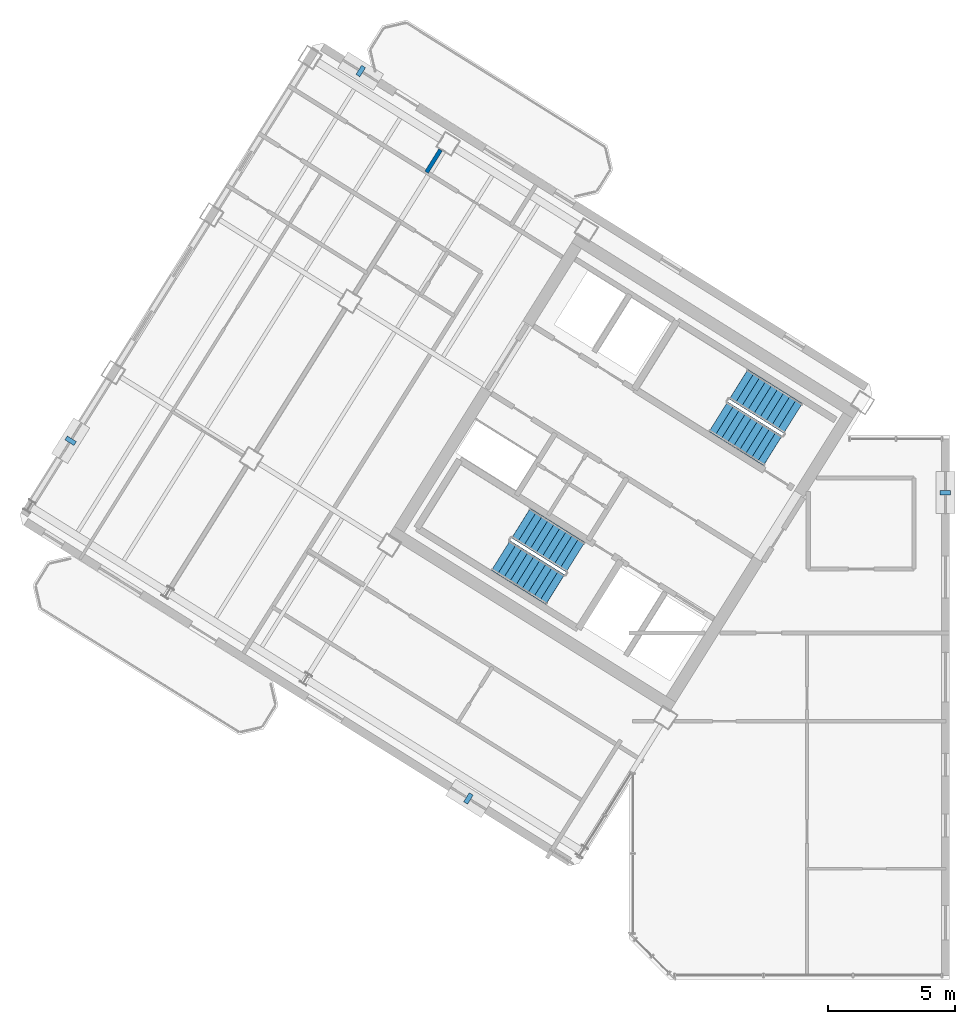
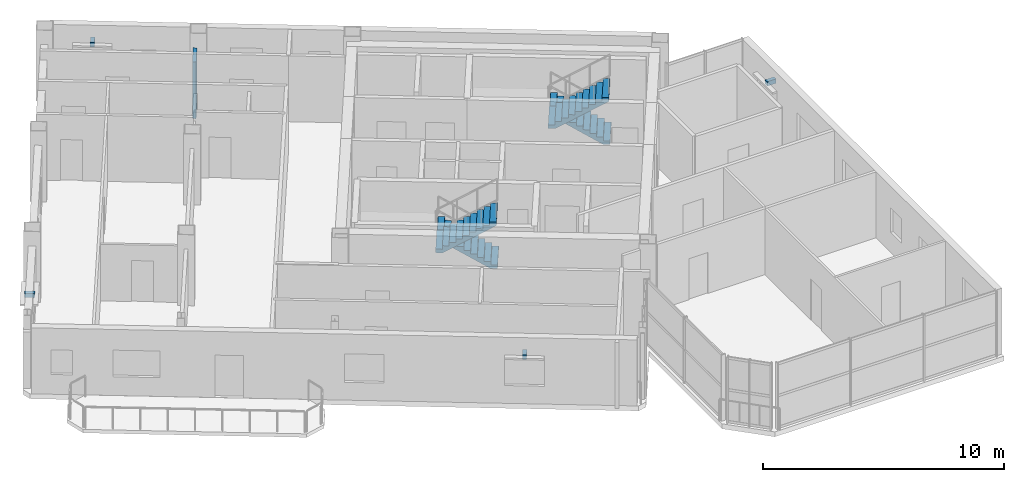
# One storey, part 10 of 12: 4 discrete accessories, 4 stair flights, 1 wall, 2 elements without a shape of their own.
"""IFC4 building model written with IfcOpenShell, lengths in metres."""

from ifc_helpers import new_model, si_unit, direction, frame, frame_2d, origin, origin_2d, place, context, subcontext, project, spatial, polyline, rectangle, outline, extrude, source, transform, mapped, material, layer, layer_set, type_object, element, aggregate, save


model = new_model("IFC4")

# Units and contexts
model_context = context("Model", 3, precision=1e-05, world=origin(), true_north=direction((0.0, 1.0)))
body_context = subcontext(model_context, "Body", "Model", "MODEL_VIEW")
ifc_project = project(units=[si_unit("LENGTHUNIT", "METRE"), si_unit("AREAUNIT", "SQUARE_METRE"), si_unit("VOLUMEUNIT", "CUBIC_METRE"), si_unit("PLANEANGLEUNIT", "RADIAN"), si_unit("MASSUNIT", "GRAM", prefix="KILO")], contexts=[model_context])

# Site, building, storey
site_placement = place(None, origin())
site = spatial("IfcSite", under=ifc_project, at=site_placement, CompositionType="ELEMENT")
building_placement = place(site_placement, origin())
building = spatial("IfcBuilding", under=site, at=building_placement, Name="Tlacorven Tower", CompositionType="ELEMENT")
storey_placement = place(building_placement, frame((0.0, 0.0, 288.0)))
storey = spatial("IfcBuildingStorey", under=building, at=storey_placement, Name="L73", CompositionType="ELEMENT", Elevation=288.0)

# Wall
ifc_material_1 = material(Name="Gypsum plasterboard acoustic partition", Category="gypsum")
ifc_layer = layer(ifc_material_1, 0.159912109375)
ifc_layer_set = layer_set([ifc_layer], Name="Gypsum plasterboard acoustic partition")
wall_type = type_object("IfcWallType", Name="WL-DEM-160", PredefinedType="PARTITIONING", material=ifc_layer_set)
wall_placement = place(storey_placement, frame((24.199951171875, 34.403564453125, 0.0), z_axis=(0.0, 0.0, 1.0), x_axis=(-0.529977795385, -0.848011519025, 0.0)))
element("IfcWall", 1, at=wall_placement, inside=storey, type_object=wall_type, Name="L73 partition 36", PredefinedType="PARTITIONING", context=body_context, shape_type="SweptSolid", body=[
    extrude(rectangle(XDim=1.037841796875, YDim=0.159912109375, at=frame_2d((0.51904296875, 0.0))), origin(), (0.0, 0.0, 1.0), 2.875),
])

# Stair, stair flights
ifc_material_2 = material(Name="Concrete C40/50", Category="concrete")
stair_type = type_object("IfcStairType", Name="ST-CORE-DLG", PredefinedType="HALF_TURN_STAIR", material=ifc_material_2)
stair_1_placement = place(storey_placement, origin())
stair_1 = element("IfcStair", 2, at=stair_1_placement, inside=storey, type_object=stair_type, Name="L73 Protected Exit Stair West 1", PredefinedType="HALF_TURN_STAIR")
stair_flight_type = type_object("IfcStairFlightType", Name="SFL-RC-1380", PredefinedType="STRAIGHT", material=ifc_material_2)
shared_shape_1 = source(origin(), body_context, "Body", "SweptSolid", [
    extrude(outline(polyline([(-0.0029296875, -0.0029296875), (-0.0029296875, 0.179931640625), (0.280029296875, 0.179931640625), (0.280029296875, 0.360107421875), (0.56005859375, 0.360107421875), (0.56005859375, 0.5400390625), (0.840087890625, 0.5400390625), (0.840087890625, 0.719970703125), (1.1201171875, 0.719970703125), (1.1201171875, 0.89990234375), (1.39990234375, 0.89990234375), (1.39990234375, 1.080078125), (1.679931640625, 1.080078125), (1.679931640625, 1.260009765625), (1.9599609375, 1.260009765625), (1.9599609375, 1.43994140625), (2.239990234375, 1.43994140625), (2.239990234375, 1.6201171875), (2.52001953125, 1.6201171875), (2.52001953125, 1.800048828125), (2.52294921875, 1.800048828125), (2.52294921875, 1.429931640625), (2.52001953125, 1.429931640625), (0.295654296875, 0.0), (0.295654296875, -0.0029296875), (-0.0029296875, -0.0029296875)])), frame((0.0, 0.68994140625, 0.0), z_axis=(0.0, -1.0, 0.0), x_axis=(1.0, 0.0, 0.0)), (0.0, 0.0, 1.0), 1.3798828125),
])
stair_flight_1_placement = place(storey_placement, frame((29.499755859375, 18.39453125, 0.0), z_axis=(0.0, 0.0, 1.0), x_axis=(-0.848048096156, 0.529919264233, 0.0)))
stair_flight_1 = element("IfcStairFlight", 3, at=stair_flight_1_placement, type_object=stair_flight_type, Name="ST-W1 flight 1", NumberOfRisers=10, NumberOfTreads=9, PredefinedType="STRAIGHT", RiserHeight=0.18, TreadLength=0.28, context=body_context, shape_type="MappedRepresentation", body=[
    mapped(shared_shape_1, transform((0.0, 0.0, 0.0), scale=1.0)),
])
stair_flight_2_placement = place(storey_placement, frame((26.56787109375, 18.4580078125, 1.800048828125), z_axis=(0.0, 0.0, 1.0), x_axis=(0.848048096156, -0.529919264233, 0.0)))
stair_flight_2 = element("IfcStairFlight", 4, at=stair_flight_2_placement, type_object=stair_flight_type, Name="ST-W1 flight 2", NumberOfRisers=10, NumberOfTreads=9, PredefinedType="STRAIGHT", RiserHeight=0.18, TreadLength=0.28, context=body_context, shape_type="MappedRepresentation", body=[
    mapped(shared_shape_1, transform((0.0, 0.0, 0.0), scale=1.0)),
])
aggregate(stair_1, [stair_flight_1, stair_flight_2])

stair_2_placement = place(storey_placement, origin())
stair_2 = element("IfcStair", 5, at=stair_2_placement, inside=storey, type_object=stair_type, Name="L73 Protected Exit Stair West 2", PredefinedType="HALF_TURN_STAIR")
stair_flight_3_placement = place(storey_placement, frame((38.051513671875, 23.852294921875, 0.0), z_axis=(0.0, 0.0, 1.0), x_axis=(-0.848048096156, 0.529919264233, 0.0)))
stair_flight_3 = element("IfcStairFlight", 6, at=stair_flight_3_placement, type_object=stair_flight_type, Name="ST-W2 flight 1", NumberOfRisers=10, NumberOfTreads=9, PredefinedType="STRAIGHT", RiserHeight=0.18, TreadLength=0.28, context=body_context, shape_type="MappedRepresentation", body=[
    mapped(shared_shape_1, transform((0.0, 0.0, 0.0), scale=1.0)),
])
stair_flight_4_placement = place(storey_placement, frame((35.119384765625, 23.91552734375, 1.800048828125), z_axis=(0.0, 0.0, 1.0), x_axis=(0.848048096156, -0.529919264233, 0.0)))
stair_flight_4 = element("IfcStairFlight", 7, at=stair_flight_4_placement, type_object=stair_flight_type, Name="ST-W2 flight 2", NumberOfRisers=10, NumberOfTreads=9, PredefinedType="STRAIGHT", RiserHeight=0.18, TreadLength=0.28, context=body_context, shape_type="MappedRepresentation", body=[
    mapped(shared_shape_1, transform((0.0, 0.0, 0.0), scale=1.0)),
])
aggregate(stair_2, [stair_flight_3, stair_flight_4])

# Discrete accessories
ifc_material_3 = material(Name="Steel S355J2", Category="steel")
discrete_accessory_type = type_object("IfcDiscreteAccessoryType", Name="ACC-BRK-01", PredefinedType="BRACKET", material=ifc_material_3)
shared_shape_2 = source(origin(), body_context, "Body", "SweptSolid", [
    extrude(rectangle(XDim=0.179931640625, YDim=0.419921875, at=origin_2d()), origin(), (0.0, 0.0, 1.0), 0.219970703125),
])
for number, where, z_axis, x_axis, name in (
    (8, (44.0400390625, 20.929931640625, 2.27978515625), (0.0, 0.0, 1.0), (0.0, -1.0, 0.0), "L73 Sunshade Bracket L73-01.1"),
    (9, (25.295654296875, 8.911376953125, 2.27978515625), (0.0, 0.0, 1.0), (-0.848048045547, 0.529919345226, 0.0), "L73 Sunshade Bracket L73-02.1"),
    (10, (9.66015625, 22.970947265625, 2.27978515625), (0.0, 0.0, 1.0), (0.529919478984, 0.848047961965, 0.0), "L73 Sunshade Bracket L73-03.1"),
    (11, (21.062255859375, 37.498779296875, 2.27978515625), (0.0, 0.0, 1.0), (0.848048223032, -0.52991906119, 0.0), "L73 Sunshade Bracket L73-04.1"),
):
    element("IfcDiscreteAccessory", number, at=place(storey_placement, frame(where, z_axis=z_axis, x_axis=x_axis)), inside=storey, type_object=discrete_accessory_type, Name=name, PredefinedType="BRACKET", context=body_context, shape_type="MappedRepresentation", body=[
        mapped(shared_shape_2, transform((0.0, 0.0, 0.0), scale=1.0)),
    ])

save(model, "model.ifc")
